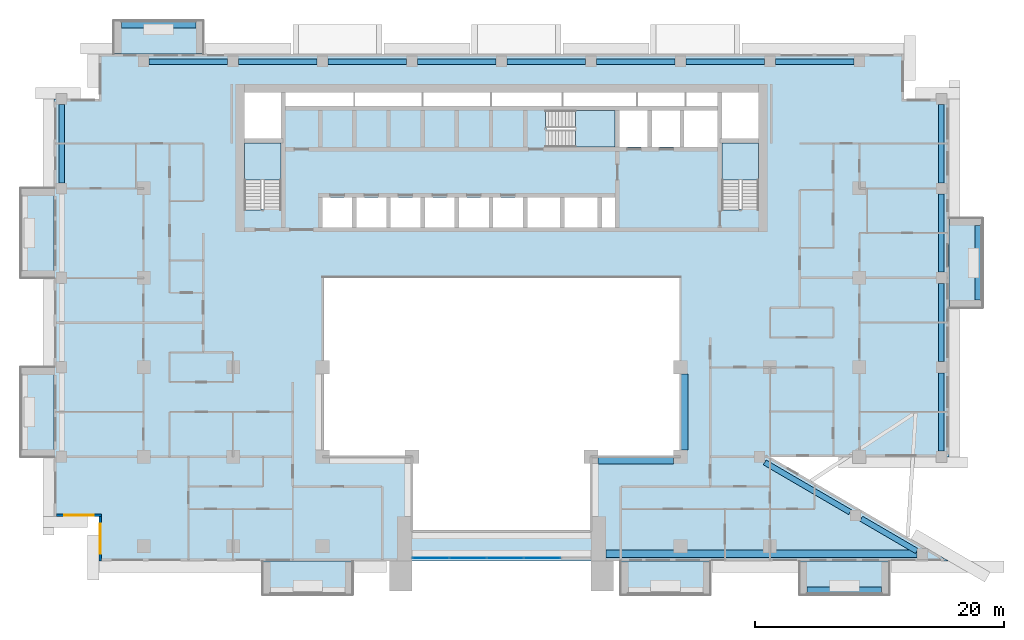
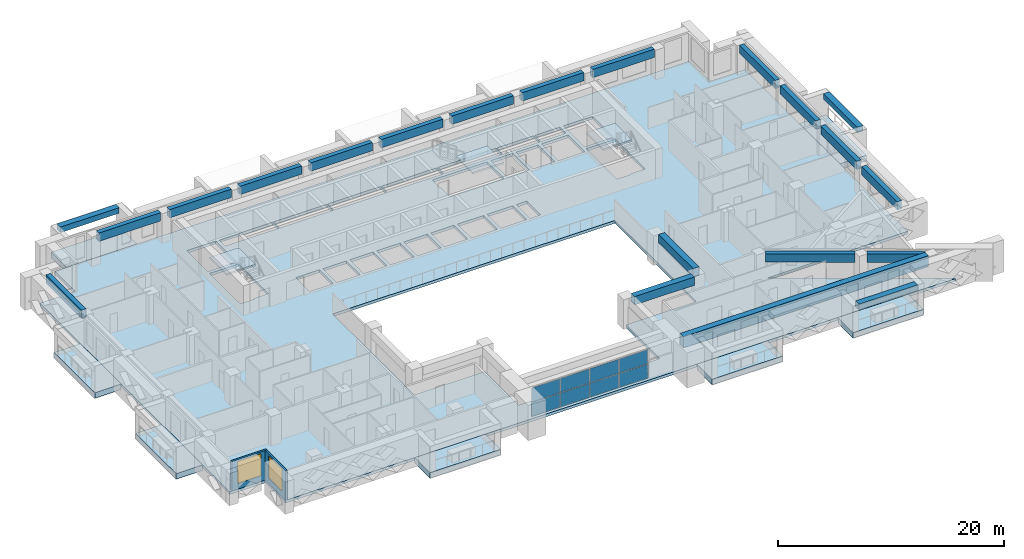
# One storey, part 5 of 20: 21 beams, 11 slabs, 8 plates, 2 walls, 2 windows, 2 openings, 4 elements without a shape of their own.
"""IFC4 building model written with IfcOpenShell, lengths in metres."""

from ifc_helpers import new_model, si_unit, direction, frame, frame_2d, origin, origin_2d, place, context, subcontext, project, spatial, polyline, rectangle, outline, extrude, source, transform, mapped, material, layer, layer_set, material_profile, profile_set, type_object, element, fill, aggregate, save


model = new_model("IFC4")

# Units and contexts
model_context = context("Model", 3, precision=1e-05, world=origin(), true_north=direction((0.0, 1.0)))
body_context = subcontext(model_context, "Body", "Model", "MODEL_VIEW")
ifc_project = project(units=[si_unit("LENGTHUNIT", "METRE"), si_unit("AREAUNIT", "SQUARE_METRE"), si_unit("VOLUMEUNIT", "CUBIC_METRE"), si_unit("PLANEANGLEUNIT", "RADIAN"), si_unit("MASSUNIT", "GRAM", prefix="KILO")], contexts=[model_context])

# Site, building, storey
site_placement = place(None, origin())
site = spatial("IfcSite", under=ifc_project, at=site_placement, CompositionType="ELEMENT")
building_placement = place(site_placement, origin())
building = spatial("IfcBuilding", under=site, at=building_placement, Name="Saffron Iwan Residences", CompositionType="ELEMENT")
storey_placement = place(building_placement, frame((0.0, 0.0, 130.5)))
storey = spatial("IfcBuildingStorey", under=building, at=storey_placement, Name="L34", CompositionType="ELEMENT", Elevation=130.5)

# Beams
ifc_material_1 = material(Name="Concrete C50/60", Category="concrete")
ifc_material_profile_1 = material_profile(ifc_material_1, rectangle(XDim=0.449951171875, YDim=0.89990234375, at=origin_2d()), Name="RC 450x900")
ifc_profile_set_1 = profile_set([ifc_material_profile_1], Name="Concrete C50/60")
beam_type_1 = type_object("IfcBeamType", Name="SPANDREL BEAM RC 450x900 C50/60 TOP 3200", PredefinedType="SPANDREL", material=ifc_profile_set_1)
shared_shape_1 = source(origin(), body_context, "Body", "SweptSolid", [
    extrude(rectangle(XDim=0.449951171875, YDim=0.89990234375, at=origin_2d()), origin(), (0.0, 0.0, 1.0), 5.184814453125),
])
beam_1_placement = place(storey_placement, frame((79.34765625, 43.019287109375, 2.75), z_axis=(0.86377206948, -0.503882736345, 0.0), x_axis=(0.503882736345, 0.86377206948, 0.0)))
element("IfcBeam", 1, at=beam_1_placement, inside=storey, type_object=beam_type_1, Name="Spandrel beam", PredefinedType="SPANDREL", context=body_context, shape_type="MappedRepresentation", body=[
    mapped(shared_shape_1, transform((0.0, 0.0, 0.0))),
])
shared_shape_2 = source(origin(), body_context, "Body", "SweptSolid", [
    extrude(rectangle(XDim=0.449951171875, YDim=0.89990234375, at=origin_2d()), origin(), (0.0, 0.0, 1.0), 7.9501953125),
])
beam_2_placement = place(storey_placement, frame((71.58056640625, 47.550048828125, 2.75), z_axis=(0.863778900898, -0.503871025524, 0.0), x_axis=(0.503871025524, 0.863778900898, 0.0)))
element("IfcBeam", 2, at=beam_2_placement, inside=storey, type_object=beam_type_1, Name="Spandrel beam", PredefinedType="SPANDREL", context=body_context, shape_type="MappedRepresentation", body=[
    mapped(shared_shape_2, transform((0.0, 0.0, 0.0))),
])
shared_shape_3 = source(origin(), body_context, "Body", "SweptSolid", [
    extrude(rectangle(XDim=0.449951171875, YDim=0.89990234375, at=origin_2d()), origin(), (0.0, 0.0, 1.0), 6.300048828125),
])
for number, where, z_axis, x_axis, name in (
    (3, (85.800048828125, 54.75, 2.75), (0.0, -1.0, 0.0), (1.0, 0.0, 0.0), "Spandrel beam"),
    (4, (85.800048828125, 61.949951171875, 2.75), (0.0, -1.0, 0.0), (1.0, 0.0, 0.0), "Spandrel beam"),
    (5, (15.0, 70.050048828125, 2.75), (0.0, 1.0, 0.0), (-1.0, 0.0, 0.0), "Spandrel beam"),
    (6, (85.800048828125, 76.35009765625, 2.75), (0.0, -1.0, 0.0), (1.0, 0.0, 0.0), "Spandrel beam"),
    (7, (22.050048828125, 79.800048828125, 2.75), (1.0, 0.0, 0.0), (0.0, 1.0, 0.0), "Spandrel beam"),
    (8, (29.25, 79.800048828125, 2.75), (1.0, 0.0, 0.0), (0.0, 1.0, 0.0), "Spandrel beam"),
    (9, (36.449951171875, 79.800048828125, 2.75), (1.0, 0.0, 0.0), (0.0, 1.0, 0.0), "Spandrel beam"),
    (10, (43.64990234375, 79.800048828125, 2.75), (1.0, 0.0, 0.0), (0.0, 1.0, 0.0), "Spandrel beam"),
    (11, (58.050048828125, 79.800048828125, 2.75), (1.0, 0.0, 0.0), (0.0, 1.0, 0.0), "Spandrel beam"),
    (12, (65.25, 79.800048828125, 2.75), (1.0, 0.0, 0.0), (0.0, 1.0, 0.0), "Spandrel beam"),
    (13, (72.449951171875, 79.800048828125, 2.75), (1.0, 0.0, 0.0), (0.0, 1.0, 0.0), "Spandrel beam"),
):
    element("IfcBeam", number, at=place(storey_placement, frame(where, z_axis=z_axis, x_axis=x_axis)), inside=storey, type_object=beam_type_1, Name=name, PredefinedType="SPANDREL", context=body_context, shape_type="MappedRepresentation", body=[
        mapped(shared_shape_3, transform((0.0, 0.0, 0.0))),
    ])
shared_shape_4 = source(origin(), body_context, "Body", "SweptSolid", [
    extrude(rectangle(XDim=0.449951171875, YDim=0.89990234375, at=origin_2d()), origin(), (0.0, 0.0, 1.0), 6.2998046875),
])
for number, where, z_axis, x_axis, name in (
    (14, (85.800048828125, 69.14990234375, 2.75), (0.0, -1.0, 0.0), (1.0, 0.0, 0.0), "Spandrel beam"),
    (15, (50.85009765625, 79.800048828125, 2.75), (1.0, 0.0, 0.0), (0.0, 1.0, 0.0), "Spandrel beam"),
):
    element("IfcBeam", number, at=place(storey_placement, frame(where, z_axis=z_axis, x_axis=x_axis)), inside=storey, type_object=beam_type_1, Name=name, PredefinedType="SPANDREL", context=body_context, shape_type="MappedRepresentation", body=[
        mapped(shared_shape_4, transform((0.0, 0.0, 0.0))),
    ])
ifc_material_profile_2 = material_profile(ifc_material_1, rectangle(XDim=0.60009765625, YDim=1.199951171875, at=origin_2d()), Name="RC 600x1200")
ifc_profile_set_2 = profile_set([ifc_material_profile_2], Name="Concrete C50/60")
beam_type_2 = type_object("IfcBeamType", Name="LINTEL BEAM RC 600x1200 C50/60 TOP 3200", PredefinedType="LINTEL", material=ifc_profile_set_2)
shared_shape_5 = source(origin(), body_context, "Body", "SweptSolid", [
    extrude(rectangle(XDim=0.60009765625, YDim=1.199951171875, at=origin_2d()), origin(), (0.0, 0.0, 1.0), 25.026123046875),
])
beam_3_placement = place(storey_placement, frame((83.826171875, 40.199951171875, 2.60009765625), z_axis=(-1.0, 0.0, 0.0), x_axis=(0.0, -1.0, 0.0)))
element("IfcBeam", 16, at=beam_3_placement, inside=storey, type_object=beam_type_2, Name="Lintel beam over the iwan", PredefinedType="LINTEL", context=body_context, shape_type="MappedRepresentation", body=[
    mapped(shared_shape_5, transform((0.0, 0.0, 0.0))),
])
ifc_material_profile_3 = material_profile(ifc_material_1, rectangle(XDim=0.60009765625, YDim=0.89990234375, at=origin_2d()), Name="RC 600x900")
ifc_profile_set_3 = profile_set([ifc_material_profile_3], Name="Concrete C50/60")
beam_type_3 = type_object("IfcBeamType", Name="BEAM RC 600x900 C50/60 TOP 3200", PredefinedType="BEAM", material=ifc_profile_set_3)
shared_shape_6 = source(origin(), body_context, "Body", "SweptSolid", [
    extrude(rectangle(XDim=0.60009765625, YDim=0.89990234375, at=origin_2d()), origin(), (0.0, 0.0, 1.0), 6.099853515625),
])
beam_4_placement = place(storey_placement, frame((65.10009765625, 54.64990234375, 2.75), z_axis=(0.0, -1.0, 0.0), x_axis=(1.0, 0.0, 0.0)))
element("IfcBeam", 17, at=beam_4_placement, inside=storey, type_object=beam_type_3, Name="Atrium edge beam", PredefinedType="BEAM", context=body_context, shape_type="MappedRepresentation", body=[
    mapped(shared_shape_6, transform((0.0, 0.0, 0.0))),
])
shared_shape_7 = source(origin(), body_context, "Body", "SweptSolid", [
    extrude(rectangle(XDim=0.60009765625, YDim=0.89990234375, at=origin_2d()), origin(), (0.0, 0.0, 1.0), 6.10009765625),
])
beam_5_placement = place(storey_placement, frame((64.25, 47.699951171875, 2.75), z_axis=(-1.0, 0.0, 0.0), x_axis=(0.0, -1.0, 0.0)))
element("IfcBeam", 18, at=beam_5_placement, inside=storey, type_object=beam_type_3, Name="Atrium edge beam", PredefinedType="BEAM", context=body_context, shape_type="MappedRepresentation", body=[
    mapped(shared_shape_7, transform((0.0, 0.0, 0.0))),
])
ifc_material_2 = material(Name="Concrete C50/60 white painted", Category="concrete")
ifc_material_profile_4 = material_profile(ifc_material_2, rectangle(XDim=0.60009765625, YDim=0.60009765625, at=origin_2d()), Name="BALCONY FASCIA BEAM 600 x 600")
ifc_profile_set_4 = profile_set([ifc_material_profile_4], Name="Concrete C50/60 white painted")
beam_type_4 = type_object("IfcBeamType", Name="BALCONY FASCIA BEAM 600 x 600", PredefinedType="BEAM", material=ifc_profile_set_4)
shared_shape_8 = source(origin(), body_context, "Body", "SweptSolid", [
    extrude(rectangle(XDim=0.60009765625, YDim=0.60009765625, at=origin_2d()), origin(), (0.0, 0.0, 1.0), 6.0),
])
for number, where, z_axis, x_axis, name in (
    (19, (88.800048828125, 60.60009765625, 2.550048828125), (0.0, 1.0, 0.0), (-1.0, 0.0, 0.0), "Balcony fascia beam L34 F2-0"),
    (20, (25.800048828125, 82.800048828125, 2.550048828125), (-1.0, 0.0, 0.0), (0.0, -1.0, 0.0), "Balcony fascia beam L34 F5-3"),
    (21, (75.0, 37.199951171875, 2.550048828125), (1.0, 0.0, 0.0), (0.0, 1.0, 0.0), "Balcony fascia beam L34 11-2"),
):
    element("IfcBeam", number, at=place(storey_placement, frame(where, z_axis=z_axis, x_axis=x_axis)), inside=storey, type_object=beam_type_4, Name=name, PredefinedType="BEAM", context=body_context, shape_type="MappedRepresentation", body=[
        mapped(shared_shape_8, transform((0.0, 0.0, 0.0))),
    ])

# Slabs
ifc_layer_1 = layer(ifc_material_2, 0.60009765625)
ifc_layer_set_1 = layer_set([ifc_layer_1], Name="Concrete C50/60 white painted")
slab_type_1 = type_object("IfcSlabType", Name="BALCONY FRAME SLAB 600", PredefinedType="FLOOR", material=ifc_layer_set_1)
slab_1_placement = place(storey_placement, frame((0.0, 0.0, -0.60009765625)))
element("IfcSlab", 22, at=slab_1_placement, inside=storey, type_object=slab_type_1, Name="Balcony frame slab L34 F2-0", PredefinedType="FLOOR", context=body_context, shape_type="SweptSolid", body=[
    extrude(outline(polyline([(89.10009765625, 60.0), (89.10009765625, 67.199951171875), (86.39990234375, 67.199951171875), (86.39990234375, 60.0), (89.10009765625, 60.0)])), origin(), (0.0, 0.0, 1.0), 0.60009765625),
])
slab_2_placement = place(storey_placement, frame((0.0, 0.0, -0.60009765625)))
element("IfcSlab", 23, at=slab_2_placement, inside=storey, type_object=slab_type_1, Name="Balcony frame slab L34 F5-3", PredefinedType="FLOOR", context=body_context, shape_type="SweptSolid", body=[
    extrude(outline(polyline([(26.39990234375, 83.10009765625), (19.199951171875, 83.10009765625), (19.199951171875, 80.39990234375), (26.39990234375, 80.39990234375), (26.39990234375, 83.10009765625)])), origin(), (0.0, 0.0, 1.0), 0.60009765625),
])
slab_3_placement = place(storey_placement, frame((0.0, 0.0, -0.60009765625)))
element("IfcSlab", 24, at=slab_3_placement, inside=storey, type_object=slab_type_1, Name="Balcony frame slab L34 F8-0", PredefinedType="FLOOR", context=body_context, shape_type="SweptSolid", body=[
    extrude(outline(polyline([(11.699951171875, 69.60009765625), (11.699951171875, 62.39990234375), (14.39990234375, 62.39990234375), (14.39990234375, 69.60009765625), (11.699951171875, 69.60009765625)])), origin(), (0.0, 0.0, 1.0), 0.60009765625),
])
slab_4_placement = place(storey_placement, frame((0.0, 0.0, -0.60009765625)))
element("IfcSlab", 25, at=slab_4_placement, inside=storey, type_object=slab_type_1, Name="Balcony frame slab L34 F8-1", PredefinedType="FLOOR", context=body_context, shape_type="SweptSolid", body=[
    extrude(outline(polyline([(11.699951171875, 55.199951171875), (11.699951171875, 48.0), (14.39990234375, 48.0), (14.39990234375, 55.199951171875), (11.699951171875, 55.199951171875)])), origin(), (0.0, 0.0, 1.0), 0.60009765625),
])
slab_5_placement = place(storey_placement, frame((0.0, 0.0, -0.60009765625)))
element("IfcSlab", 26, at=slab_5_placement, inside=storey, type_object=slab_type_1, Name="Balcony frame slab L34 11-0", PredefinedType="FLOOR", context=body_context, shape_type="SweptSolid", body=[
    extrude(outline(polyline([(31.199951171875, 36.89990234375), (38.39990234375, 36.89990234375), (38.39990234375, 39.60009765625), (31.199951171875, 39.60009765625), (31.199951171875, 36.89990234375)])), origin(), (0.0, 0.0, 1.0), 0.60009765625),
])
slab_6_placement = place(storey_placement, frame((0.0, 0.0, -0.60009765625)))
element("IfcSlab", 27, at=slab_6_placement, inside=storey, type_object=slab_type_1, Name="Balcony frame slab L34 11-1", PredefinedType="FLOOR", context=body_context, shape_type="SweptSolid", body=[
    extrude(outline(polyline([(60.0, 36.89990234375), (67.199951171875, 36.89990234375), (67.199951171875, 39.60009765625), (60.0, 39.60009765625), (60.0, 36.89990234375)])), origin(), (0.0, 0.0, 1.0), 0.60009765625),
])
slab_7_placement = place(storey_placement, frame((0.0, 0.0, -0.60009765625)))
element("IfcSlab", 28, at=slab_7_placement, inside=storey, type_object=slab_type_1, Name="Balcony frame slab L34 11-2", PredefinedType="FLOOR", context=body_context, shape_type="SweptSolid", body=[
    extrude(outline(polyline([(74.39990234375, 36.89990234375), (81.60009765625, 36.89990234375), (81.60009765625, 39.60009765625), (74.39990234375, 39.60009765625), (74.39990234375, 36.89990234375)])), origin(), (0.0, 0.0, 1.0), 0.60009765625),
])
ifc_material_3 = material(Name="Concrete C40/50", Category="concrete")
ifc_layer_2 = layer(ifc_material_3, 0.300048828125)
ifc_layer_set_2 = layer_set([ifc_layer_2], Name="Concrete C40/50")
slab_type_2 = type_object("IfcSlabType", Name="PT PLATE 300 C40/50", PredefinedType="FLOOR", material=ifc_layer_set_2)
slab_8_placement = place(storey_placement, frame((0.0, 0.0, -0.300048828125)))
element("IfcSlab", 29, at=slab_8_placement, inside=storey, type_object=slab_type_2, Name="Floor slab L34", PredefinedType="FLOOR", context=body_context, shape_type="SweptSolid", body=[
    extrude(outline(polyline([(14.39990234375, 43.199951171875), (14.39990234375, 76.800048828125), (18.0, 76.800048828125), (18.0, 80.39990234375), (82.800048828125, 80.39990234375), (82.800048828125, 76.800048828125), (86.39990234375, 76.800048828125), (86.39990234375, 48.0), (72.0, 48.0), (86.39990234375, 39.60009765625), (18.0, 39.60009765625), (18.0, 43.199951171875), (14.39990234375, 43.199951171875)]), holes=[polyline([(64.800048828125, 48.0), (64.800048828125, 62.39990234375), (36.0, 62.39990234375), (36.0, 48.0), (43.199951171875, 48.0), (43.199951171875, 42.0), (57.60009765625, 42.0), (57.60009765625, 48.0), (64.800048828125, 48.0)]), polyline([(38.375, 68.875), (35.97509765625, 68.875), (35.97509765625, 66.449951171875), (38.375, 66.449951171875), (38.375, 68.875)]), polyline([(41.125, 66.449951171875), (41.125, 68.875), (38.72509765625, 68.875), (38.72509765625, 66.449951171875), (41.125, 66.449951171875)]), polyline([(43.875, 66.449951171875), (43.875, 68.875), (41.47509765625, 68.875), (41.47509765625, 66.449951171875), (43.875, 66.449951171875)]), polyline([(46.625, 68.875), (44.22509765625, 68.875), (44.22509765625, 66.449951171875), (46.625, 66.449951171875), (46.625, 68.875)]), polyline([(49.375, 66.449951171875), (49.375, 68.875), (46.97509765625, 68.875), (46.97509765625, 66.449951171875), (49.375, 66.449951171875)]), polyline([(52.125, 66.449951171875), (52.125, 68.875), (49.72509765625, 68.875), (49.72509765625, 66.449951171875), (52.125, 66.449951171875)]), polyline([(29.699951171875, 73.25), (29.699951171875, 67.949951171875), (29.699951171875, 67.8505859375), (31.10009765625, 67.8505859375), (31.10009765625, 67.949951171875), (32.64990234375, 67.949951171875), (32.64990234375, 73.25), (29.699951171875, 73.25)]), polyline([(32.64990234375, 73.60009765625), (32.64990234375, 77.300048828125), (29.699951171875, 77.300048828125), (29.699951171875, 73.60009765625), (32.64990234375, 73.60009765625)]), polyline([(38.5, 76.22509765625), (38.5, 77.300048828125), (33.0, 77.300048828125), (33.0, 76.22509765625), (38.5, 76.22509765625)]), polyline([(44.0, 77.300048828125), (38.60009765625, 77.300048828125), (38.60009765625, 76.22509765625), (44.0, 76.22509765625), (44.0, 77.300048828125)]), polyline([(49.5, 76.22509765625), (49.5, 77.300048828125), (44.10009765625, 77.300048828125), (44.10009765625, 76.22509765625), (49.5, 76.22509765625)]), polyline([(55.25, 76.22509765625), (55.25, 77.300048828125), (49.60009765625, 77.300048828125), (49.60009765625, 76.22509765625), (55.25, 76.22509765625)]), polyline([(55.125, 68.875), (52.47509765625, 68.875), (52.47509765625, 66.449951171875), (55.125, 66.449951171875), (55.125, 68.875)]), polyline([(58.125, 66.449951171875), (58.125, 68.875), (55.47509765625, 68.875), (55.47509765625, 66.449951171875), (58.125, 66.449951171875)]), polyline([(59.550048828125, 66.449951171875), (59.550048828125, 68.875), (58.47509765625, 68.875), (58.47509765625, 66.449951171875), (59.550048828125, 66.449951171875)]), polyline([(68.14990234375, 73.25), (68.14990234375, 67.949951171875), (68.14990234375, 67.8505859375), (69.550048828125, 67.8505859375), (69.550048828125, 67.949951171875), (71.10009765625, 67.949951171875), (71.10009765625, 73.25), (68.14990234375, 73.25)]), polyline([(53.925537109375, 74.47509765625), (54.02490234375, 74.47509765625), (54.02490234375, 72.925048828125), (59.550048828125, 72.925048828125), (59.550048828125, 75.875), (54.02490234375, 75.875), (53.925537109375, 75.875), (53.925537109375, 74.47509765625)]), polyline([(62.14990234375, 72.925048828125), (62.14990234375, 75.875), (59.89990234375, 75.875), (59.89990234375, 72.925048828125), (62.14990234375, 72.925048828125)]), polyline([(64.75, 75.875), (62.5, 75.875), (62.5, 72.925048828125), (64.75, 72.925048828125), (64.75, 75.875)]), polyline([(67.800048828125, 72.925048828125), (67.800048828125, 75.875), (65.10009765625, 75.875), (65.10009765625, 72.925048828125), (67.800048828125, 72.925048828125)]), polyline([(71.10009765625, 73.60009765625), (71.10009765625, 77.300048828125), (68.14990234375, 77.300048828125), (68.14990234375, 73.60009765625), (71.10009765625, 73.60009765625)]), polyline([(61.25, 77.300048828125), (55.35009765625, 77.300048828125), (55.35009765625, 76.22509765625), (61.25, 76.22509765625), (61.25, 77.300048828125)]), polyline([(65.14990234375, 76.22509765625), (65.14990234375, 77.300048828125), (61.35009765625, 77.300048828125), (61.35009765625, 76.22509765625), (65.14990234375, 76.22509765625)]), polyline([(67.800048828125, 76.22509765625), (67.800048828125, 77.300048828125), (65.25, 77.300048828125), (65.25, 76.22509765625), (67.800048828125, 76.22509765625)])]), origin(), (0.0, 0.0, 1.0), 0.300048828125),
])

# Stair, slab
stair_type = type_object("IfcStairType", Name="Stair ST-CORE", PredefinedType="HALF_TURN_STAIR", material=ifc_material_1)
stair_1_placement = place(storey_placement, origin())
stair_1 = element("IfcStair", 30, at=stair_1_placement, inside=storey, type_object=stair_type, Name="L34 Exit Stair ST-W", PredefinedType="HALF_TURN_STAIR")
ifc_layer_3 = layer(ifc_material_1, 0.199951171875)
ifc_layer_set_3 = layer_set([ifc_layer_3], Name="Concrete C50/60")
slab_type_3 = type_object("IfcSlabType", Name="Stair landing SL-RC", PredefinedType="LANDING", material=ifc_layer_set_3)
slab_9_placement = place(storey_placement, frame((0.0, 0.0, 1.5498046875)))
slab_9 = element("IfcSlab", 31, at=slab_9_placement, type_object=slab_type_3, Name="ST-W landing 1", PredefinedType="LANDING", context=body_context, shape_type="SweptSolid", body=[
    extrude(outline(polyline([(32.64990234375, 70.280029296875), (32.64990234375, 73.25), (29.699951171875, 73.25), (29.699951171875, 70.280029296875), (32.64990234375, 70.280029296875)])), origin(), (0.0, 0.0, 1.0), 0.2001953125),
])
aggregate(stair_1, [slab_9])

stair_2_placement = place(storey_placement, origin())
stair_2 = element("IfcStair", 32, at=stair_2_placement, inside=storey, type_object=stair_type, Name="L34 Exit Stair ST-C", PredefinedType="HALF_TURN_STAIR")
slab_10_placement = place(storey_placement, frame((0.0, 0.0, 1.5498046875)))
slab_10 = element("IfcSlab", 33, at=slab_10_placement, type_object=slab_type_3, Name="ST-C landing 1", PredefinedType="LANDING", context=body_context, shape_type="SweptSolid", body=[
    extrude(outline(polyline([(56.35498046875, 72.925048828125), (59.550048828125, 72.925048828125), (59.550048828125, 75.875), (56.35498046875, 75.875), (56.35498046875, 72.925048828125)])), origin(), (0.0, 0.0, 1.0), 0.2001953125),
])
aggregate(stair_2, [slab_10])

stair_3_placement = place(storey_placement, origin())
stair_3 = element("IfcStair", 34, at=stair_3_placement, inside=storey, type_object=stair_type, Name="L34 Exit Stair ST-E", PredefinedType="HALF_TURN_STAIR")
slab_11_placement = place(storey_placement, frame((0.0, 0.0, 1.5498046875)))
slab_11 = element("IfcSlab", 35, at=slab_11_placement, type_object=slab_type_3, Name="ST-E landing 1", PredefinedType="LANDING", context=body_context, shape_type="SweptSolid", body=[
    extrude(outline(polyline([(71.10009765625, 70.280029296875), (71.10009765625, 73.25), (68.14990234375, 73.25), (68.14990234375, 70.280029296875), (71.10009765625, 70.280029296875)])), origin(), (0.0, 0.0, 1.0), 0.2001953125),
])
aggregate(stair_3, [slab_11])

# Curtain wall, plates
ifc_material_4 = material(Name="Clear glass, laminated double glazed", Category="glass")
ifc_layer_4 = layer(ifc_material_4, 0.199951171875)
ifc_layer_set_4 = layer_set([ifc_layer_4], Name="Clear glass, laminated double glazed")
curtain_wall_type = type_object("IfcCurtainWallType", Name="CW-B IWAN PORTAL", PredefinedType="NOTDEFINED", material=ifc_layer_set_4)
curtain_wall_placement = place(storey_placement, origin())
curtain_wall = element("IfcCurtainWall", 36, at=curtain_wall_placement, inside=storey, type_object=curtain_wall_type, Name="Iwan portal glazing L34.1", PredefinedType="NOTDEFINED")
ifc_layer_5 = layer(ifc_material_4, 0.028076171875)
ifc_layer_set_5 = layer_set([ifc_layer_5], Name="Clear glass, laminated double glazed")
plate_type = type_object("IfcPlateType", Name="CW-B PANEL 28", PredefinedType="CURTAIN_PANEL", material=ifc_layer_set_5)
shared_shape_9 = source(origin(), body_context, "Body", "SweptSolid", [
    extrude(rectangle(XDim=2.909912109375, YDim=0.028076171875, at=origin_2d()), origin(), (0.0, 0.0, 1.0), 1.510009765625),
])
plate_1_placement = place(storey_placement, frame((44.715087890625, 39.85009765625, 0.06005859375), z_axis=(0.0, 0.0, 1.0), x_axis=(1.0, 0.0, 0.0)))
plate_1 = element("IfcPlate", 37, at=plate_1_placement, type_object=plate_type, Name="CW-B panel 1.1", PredefinedType="CURTAIN_PANEL", context=body_context, shape_type="MappedRepresentation", body=[
    mapped(shared_shape_9, transform((0.0, 0.0, 0.0))),
])
plate_2_placement = place(storey_placement, frame((44.715087890625, 39.85009765625, 1.6298828125), z_axis=(0.0, 0.0, 1.0), x_axis=(1.0, 0.0, 0.0)))
plate_2 = element("IfcPlate", 38, at=plate_2_placement, type_object=plate_type, Name="CW-B panel 1.2", PredefinedType="CURTAIN_PANEL", context=body_context, shape_type="MappedRepresentation", body=[
    mapped(shared_shape_9, transform((0.0, 0.0, 0.0))),
])
plate_3_placement = place(storey_placement, frame((53.68505859375, 39.85009765625, 0.06005859375), z_axis=(0.0, 0.0, 1.0), x_axis=(1.0, 0.0, 0.0)))
plate_3 = element("IfcPlate", 39, at=plate_3_placement, type_object=plate_type, Name="CW-B panel 4.1", PredefinedType="CURTAIN_PANEL", context=body_context, shape_type="MappedRepresentation", body=[
    mapped(shared_shape_9, transform((0.0, 0.0, 0.0))),
])
plate_4_placement = place(storey_placement, frame((53.68505859375, 39.85009765625, 1.6298828125), z_axis=(0.0, 0.0, 1.0), x_axis=(1.0, 0.0, 0.0)))
plate_4 = element("IfcPlate", 40, at=plate_4_placement, type_object=plate_type, Name="CW-B panel 4.2", PredefinedType="CURTAIN_PANEL", context=body_context, shape_type="MappedRepresentation", body=[
    mapped(shared_shape_9, transform((0.0, 0.0, 0.0))),
])
shared_shape_10 = source(origin(), body_context, "Body", "SweptSolid", [
    extrude(rectangle(XDim=2.93994140625, YDim=0.028076171875, at=origin_2d()), origin(), (0.0, 0.0, 1.0), 1.510009765625),
])
plate_5_placement = place(storey_placement, frame((47.699951171875, 39.85009765625, 0.06005859375), z_axis=(0.0, 0.0, 1.0), x_axis=(1.0, 0.0, 0.0)))
plate_5 = element("IfcPlate", 41, at=plate_5_placement, type_object=plate_type, Name="CW-B panel 2.1", PredefinedType="CURTAIN_PANEL", context=body_context, shape_type="MappedRepresentation", body=[
    mapped(shared_shape_10, transform((0.0, 0.0, 0.0))),
])
plate_6_placement = place(storey_placement, frame((47.699951171875, 39.85009765625, 1.6298828125), z_axis=(0.0, 0.0, 1.0), x_axis=(1.0, 0.0, 0.0)))
plate_6 = element("IfcPlate", 42, at=plate_6_placement, type_object=plate_type, Name="CW-B panel 2.2", PredefinedType="CURTAIN_PANEL", context=body_context, shape_type="MappedRepresentation", body=[
    mapped(shared_shape_10, transform((0.0, 0.0, 0.0))),
])
plate_7_placement = place(storey_placement, frame((50.699951171875, 39.85009765625, 0.06005859375), z_axis=(0.0, 0.0, 1.0), x_axis=(1.0, 0.0, 0.0)))
plate_7 = element("IfcPlate", 43, at=plate_7_placement, type_object=plate_type, Name="CW-B panel 3.1", PredefinedType="CURTAIN_PANEL", context=body_context, shape_type="MappedRepresentation", body=[
    mapped(shared_shape_10, transform((0.0, 0.0, 0.0))),
])
plate_8_placement = place(storey_placement, frame((50.699951171875, 39.85009765625, 1.6298828125), z_axis=(0.0, 0.0, 1.0), x_axis=(1.0, 0.0, 0.0)))
plate_8 = element("IfcPlate", 44, at=plate_8_placement, type_object=plate_type, Name="CW-B panel 3.2", PredefinedType="CURTAIN_PANEL", context=body_context, shape_type="MappedRepresentation", body=[
    mapped(shared_shape_10, transform((0.0, 0.0, 0.0))),
])
aggregate(curtain_wall, [plate_1, plate_2, plate_5, plate_6, plate_7, plate_8, plate_3, plate_4])

# Wall, opening, window
ifc_layer_6 = layer(ifc_material_3, 0.199951171875)
ifc_layer_set_6 = layer_set([ifc_layer_6], Name="Concrete C40/50")
wall_type = type_object("IfcWallType", Name="EXTERNAL WALL 200", PredefinedType="SOLIDWALL", material=ifc_layer_set_6)
wall_1_placement = place(storey_placement, frame((14.60009765625, 43.300048828125, 0.0), z_axis=(0.0, 0.0, 1.0), x_axis=(1.0, 0.0, 0.0)))
wall_1 = element("IfcWall", 45, at=wall_1_placement, inside=storey, type_object=wall_type, Name="External wall L34 F9.0", PredefinedType="SOLIDWALL", context=body_context, shape_type="SweptSolid", body=[
    extrude(rectangle(XDim=3.599853515625, YDim=0.199951171875, at=frame_2d((1.7998046875, 0.0))), origin(), (0.0, 0.0, 1.0), 3.199951171875),
])
opening_1_placement = place(wall_1_placement, frame((0.60009765625, 0.0, 0.60009765625)))
opening_1 = element("IfcOpeningElement", 46, at=opening_1_placement, cuts=wall_1, Name="Opening W1", PredefinedType="OPENING", context=body_context, shape_type="SweptSolid", body=[
    extrude(rectangle(XDim=2.39990234375, YDim=2.39990234375, at=frame_2d((1.199951171875, 1.199951171875))), frame((0.0, 0.10986328125, 0.0), z_axis=(0.0, -1.0, 0.0), x_axis=(1.0, 0.0, 0.0)), (0.0, 0.0, 1.0), 0.219970703125),
])
window_type = type_object("IfcWindowType", Name="WINDOW 2400 x 2400", PartitioningType="DOUBLE_PANEL_VERTICAL", PredefinedType="WINDOW", material=ifc_material_4)
window_1_placement = place(opening_1_placement, origin())
window_1 = element("IfcWindow", 47, at=window_1_placement, inside=storey, type_object=window_type, Name="Window L34 F9.0", OverallHeight=2.39990234375, OverallWidth=2.39990234375, PartitioningType="DOUBLE_PANEL_VERTICAL", PredefinedType="WINDOW", context=body_context, shape_type="SweptSolid", body=[
    extrude(rectangle(XDim=2.39990234375, YDim=2.39990234375, at=frame_2d((1.199951171875, 1.199951171875))), frame((0.0, 0.030029296875, 0.0), z_axis=(0.0, -1.0, 0.0), x_axis=(1.0, 0.0, 0.0)), (0.0, 0.0, 1.0), 0.06005859375),
])
fill(opening_1, window_1)

wall_2_placement = place(storey_placement, frame((18.10009765625, 43.199951171875, 0.0), z_axis=(0.0, 0.0, 1.0), x_axis=(0.0, -1.0, 0.0)))
wall_2 = element("IfcWall", 48, at=wall_2_placement, inside=storey, type_object=wall_type, Name="External wall L34 F10.0", PredefinedType="SOLIDWALL", context=body_context, shape_type="SweptSolid", body=[
    extrude(rectangle(XDim=3.599853515625, YDim=0.199951171875, at=frame_2d((1.7998046875, 0.0))), origin(), (0.0, 0.0, 1.0), 3.199951171875),
])
opening_2_placement = place(wall_2_placement, frame((0.60009765625, 0.0, 0.60009765625)))
opening_2 = element("IfcOpeningElement", 49, at=opening_2_placement, cuts=wall_2, Name="Opening W1", PredefinedType="OPENING", context=body_context, shape_type="SweptSolid", body=[
    extrude(rectangle(XDim=2.39990234375, YDim=2.39990234375, at=frame_2d((1.199951171875, 1.199951171875))), frame((0.0, 0.10986328125, 0.0), z_axis=(0.0, -1.0, 0.0), x_axis=(1.0, 0.0, 0.0)), (0.0, 0.0, 1.0), 0.219970703125),
])
window_2_placement = place(opening_2_placement, origin())
window_2 = element("IfcWindow", 50, at=window_2_placement, inside=storey, type_object=window_type, Name="Window L34 F10.0", OverallHeight=2.39990234375, OverallWidth=2.39990234375, PartitioningType="DOUBLE_PANEL_VERTICAL", PredefinedType="WINDOW", context=body_context, shape_type="SweptSolid", body=[
    extrude(rectangle(XDim=2.39990234375, YDim=2.39990234375, at=frame_2d((1.199951171875, 1.199951171875))), frame((0.0, 0.030029296875, 0.0), z_axis=(0.0, -1.0, 0.0), x_axis=(1.0, 0.0, 0.0)), (0.0, 0.0, 1.0), 0.06005859375),
])
fill(opening_2, window_2)

save(model, "model.ifc")
